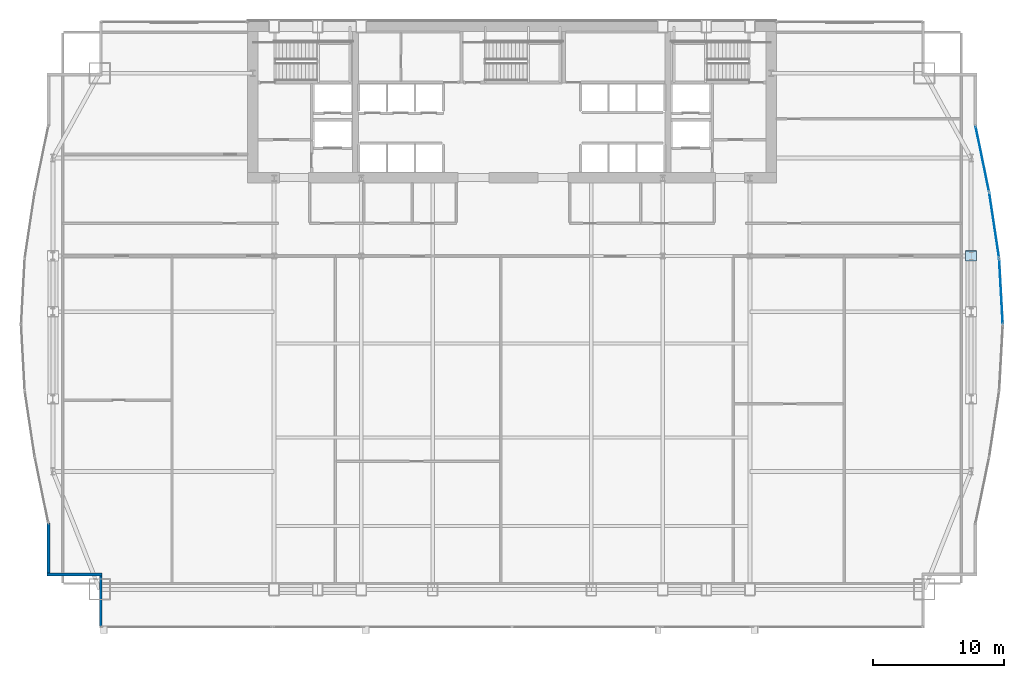
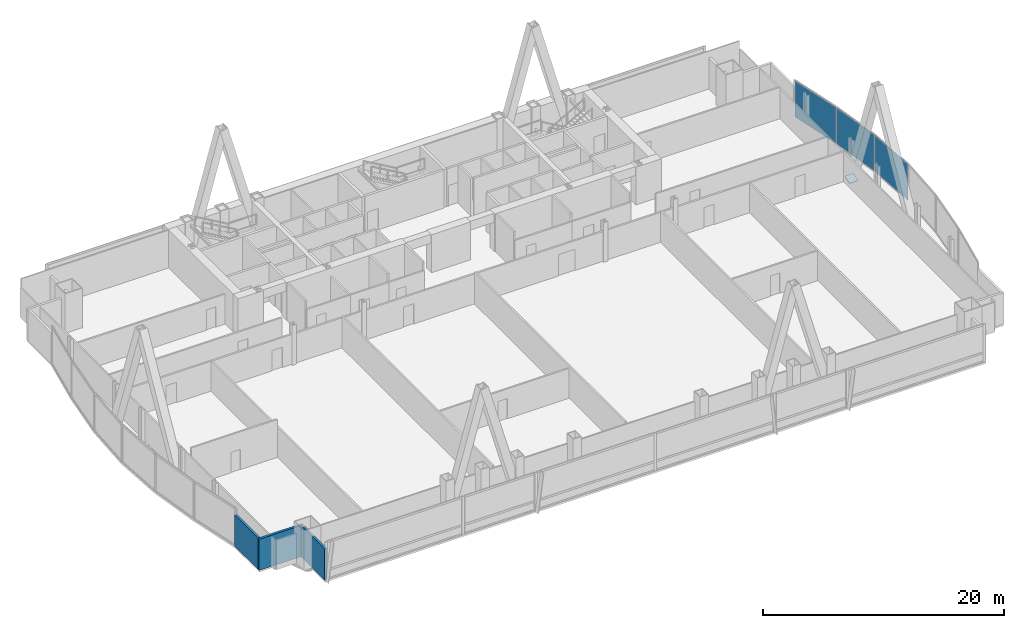
# One storey, part 29 of 36: 4 plates, 3 walls, 3 elements without a shape of their own.
"""IFC4 building model written with IfcOpenShell, lengths in metres."""

from ifc_helpers import new_model, si_unit, direction, frame, frame_2d, origin, origin_2d, place, context, subcontext, project, spatial, polyline, rectangle, outline, extrude, material, layer, layer_set, type_object, element, aggregate, save


model = new_model("IFC4")

# Units and contexts
model_context = context("Model", 3, precision=1e-05, world=origin(), true_north=direction((0.0, 1.0)))
body_context = subcontext(model_context, "Body", "Model", "MODEL_VIEW")
ifc_project = project(units=[si_unit("LENGTHUNIT", "METRE"), si_unit("AREAUNIT", "SQUARE_METRE"), si_unit("VOLUMEUNIT", "CUBIC_METRE"), si_unit("PLANEANGLEUNIT", "RADIAN"), si_unit("MASSUNIT", "GRAM", prefix="KILO")], contexts=[model_context])

# Site, building, storey
site_placement = place(None, origin())
site = spatial("IfcSite", under=ifc_project, at=site_placement, CompositionType="ELEMENT")
building_placement = place(site_placement, origin())
building = spatial("IfcBuilding", under=site, at=building_placement, Name="Khoronbel Lancet Exchange", CompositionType="ELEMENT")
storey_placement = place(building_placement, frame((0.0, 0.0, 49.800048828125)))
storey = spatial("IfcBuildingStorey", under=building, at=storey_placement, Name="L11", CompositionType="ELEMENT", Elevation=49.800048828125)

# Curtain wall, plate
ifc_material_1 = material(Name="Low-E Solar Control Insulating Glass", Category="glass")
curtain_wall_type = type_object("IfcCurtainWallType", Name="CW-4", PredefinedType="NOTDEFINED", material=ifc_material_1)
curtain_wall_1_placement = place(storey_placement, origin())
curtain_wall_1 = element("IfcCurtainWall", 1, at=curtain_wall_1_placement, inside=storey, type_object=curtain_wall_type, Name="Unitised curtain wall CW-L11-E18", PredefinedType="NOTDEFINED")
ifc_material_2 = material(Name="Bronze-Anodised Aluminium 6063-T6", Category="aluminium")
ifc_layer_1 = layer(ifc_material_2, 0.050048828125, Name="Bronze-Anodised Aluminium 6063-T6")
ifc_layer_set_1 = layer_set([ifc_layer_1], Name="Bronze-Anodised Aluminium 6063-T6")
plate_type_1 = type_object("IfcPlateType", Name="PLT-CSP1", PredefinedType="SHEET", material=ifc_layer_set_1)
plate_1_placement = place(storey_placement, frame((73.392578125, 38.0625, 0.0849609375), z_axis=(0.0, 0.0, 1.0), x_axis=(0.149250895825, -0.988799357855, 0.0)))
plate_1 = element("IfcPlate", 2, at=plate_1_placement, type_object=plate_type_1, Name="CW4 panel 1.1", PredefinedType="CURTAIN_PANEL", context=body_context, shape_type="SweptSolid", body=[
    extrude(rectangle(XDim=4.984375, YDim=0.0380859375, at=origin_2d()), origin(), (0.0, 0.0, 1.0), 3.64990234375),
])
aggregate(curtain_wall_1, [plate_1])

curtain_wall_2_placement = place(storey_placement, origin())
curtain_wall_2 = element("IfcCurtainWall", 3, at=curtain_wall_2_placement, inside=storey, type_object=curtain_wall_type, Name="Unitised curtain wall CW-L11-E19", PredefinedType="NOTDEFINED")
plate_2_placement = place(storey_placement, frame((73.916015625, 32.987060546875, 0.0849609375), z_axis=(0.0, 0.0, 1.0), x_axis=(0.05515722869, -0.998477681335, 0.0)))
plate_2 = element("IfcPlate", 4, at=plate_2_placement, type_object=plate_type_1, Name="CW4 panel 1.1", PredefinedType="CURTAIN_PANEL", context=body_context, shape_type="SweptSolid", body=[
    extrude(rectangle(XDim=4.931884765625, YDim=0.0380859375, at=origin_2d()), origin(), (0.0, 0.0, 1.0), 3.64990234375),
])
aggregate(curtain_wall_2, [plate_2])

curtain_wall_3_placement = place(storey_placement, origin())
curtain_wall_3 = element("IfcCurtainWall", 5, at=curtain_wall_3_placement, inside=storey, type_object=curtain_wall_type, Name="Unitised curtain wall CW-L11-E17", PredefinedType="NOTDEFINED")
ifc_material_3 = material(Name="Ceramic-Fritted Laminated Insulating Glass", Category="glass")
ifc_layer_2 = layer(ifc_material_3, 0.0419921875, Name="Ceramic-Fritted Laminated Insulating Glass")
ifc_layer_set_2 = layer_set([ifc_layer_2], Name="Ceramic-Fritted Laminated Insulating Glass")
plate_type_2 = type_object("IfcPlateType", Name="PLT-CWP2", PredefinedType="CURTAIN_PANEL", material=ifc_layer_set_2)
plate_3_placement = place(storey_placement, frame((72.48486328125, 43.145751953125, 0.0849609375), z_axis=(0.0, 0.0, 1.0), x_axis=(0.201944463486, -0.979396974504, 0.0)))
plate_3 = element("IfcPlate", 6, at=plate_3_placement, type_object=plate_type_2, Name="CW4 panel 1.1", PredefinedType="CURTAIN_PANEL", context=body_context, shape_type="SweptSolid", body=[
    extrude(rectangle(XDim=5.046875, YDim=0.0380859375, at=origin_2d()), origin(), (0.0, 0.0, 1.0), 3.64990234375),
])
aggregate(curtain_wall_3, [plate_3])

# Plate
ifc_material_4 = material(Name="Steel S460", Category="steel")
ifc_layer_3 = layer(ifc_material_4, 0.044921875, Name="Steel S460")
ifc_layer_set_3 = layer_set([ifc_layer_3], Name="Steel S460")
plate_type_3 = type_object("IfcPlateType", Name="PLT-ECP1", PredefinedType="USERDEFINED", material=ifc_layer_set_3)
plate_4_placement = place(storey_placement, frame((71.2099609375, 35.30029296875, -0.129638671875), z_axis=(0.0, -0.335433979759, 0.942063716116), x_axis=(1.0, 0.0, 0.0)))
element("IfcPlate", 7, at=plate_4_placement, inside=storey, type_object=plate_type_3, Name="Hollow end cap plate PLT-CAP-MEM-MB-T03-E-P-R-0", ObjectType="STIFFENER_PLATE", PredefinedType="USERDEFINED", context=body_context, shape_type="SweptSolid", body=[
    extrude(outline(polyline([(0.0, 0.0), (0.840087890625, 0.0), (0.840087890625, 0.83984375), (0.0, 0.83984375), (0.0, 0.0)])), origin(), (0.0, 0.0, -1.0), 0.044921875),
])

# Walls
ifc_material_5 = material(Name="Precast concrete C40/50", Category="concrete")
ifc_layer_4 = layer(ifc_material_5, 0.25, Name="Precast concrete C40/50")
ifc_layer_set_4 = layer_set([ifc_layer_4], Name="Precast concrete C40/50")
wall_type = type_object("IfcWallType", Name="WL-EXT250", PredefinedType="SOLIDWALL", material=ifc_layer_set_4)
wall_1_placement = place(storey_placement, frame((4.93994140625, 7.27001953125, 0.0), z_axis=(0.0, 0.0, 1.0), x_axis=(0.0, 1.0, 0.0)))
element("IfcWall", 8, at=wall_1_placement, inside=storey, type_object=wall_type, Name="Level L11 notched-corner limestone pier 01", PredefinedType="SOLIDWALL", context=body_context, shape_type="SweptSolid", body=[
    extrude(rectangle(XDim=3.909912109375, YDim=0.219970703125, at=frame_2d((1.955078125, 0.0))), origin(), (0.0, 0.0, 1.0), 3.159912109375),
])
wall_2_placement = place(storey_placement, frame((5.050048828125, 11.2900390625, 0.0), z_axis=(0.0, 0.0, 1.0), x_axis=(-1.0, 0.0, 0.0)))
element("IfcWall", 9, at=wall_2_placement, inside=storey, type_object=wall_type, Name="Level L11 notched-corner limestone pier 02", PredefinedType="SOLIDWALL", context=body_context, shape_type="SweptSolid", body=[
    extrude(rectangle(XDim=4.219970703125, YDim=0.219970703125, at=frame_2d((2.10986328125, 0.0))), origin(), (0.0, 0.0, 1.0), 3.159912109375),
])
wall_3_placement = place(storey_placement, frame((0.93994140625, 11.39990234375, 0.0), z_axis=(0.0, 0.0, 1.0), x_axis=(0.0, 1.0, 0.0)))
element("IfcWall", 10, at=wall_3_placement, inside=storey, type_object=wall_type, Name="Level L11 notched-corner limestone pier 03", PredefinedType="SOLIDWALL", context=body_context, shape_type="SweptSolid", body=[
    extrude(rectangle(XDim=3.829345703125, YDim=0.219970703125, at=frame_2d((1.91455078125, 0.0))), origin(), (0.0, 0.0, 1.0), 3.159912109375),
])

save(model, "model.ifc")
